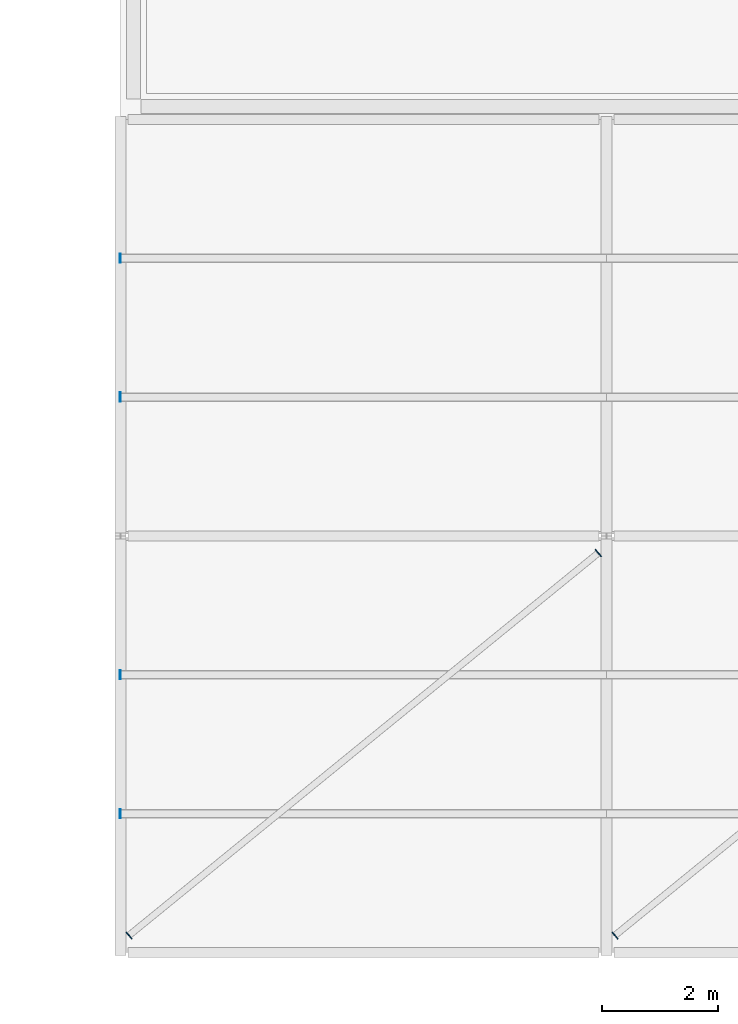
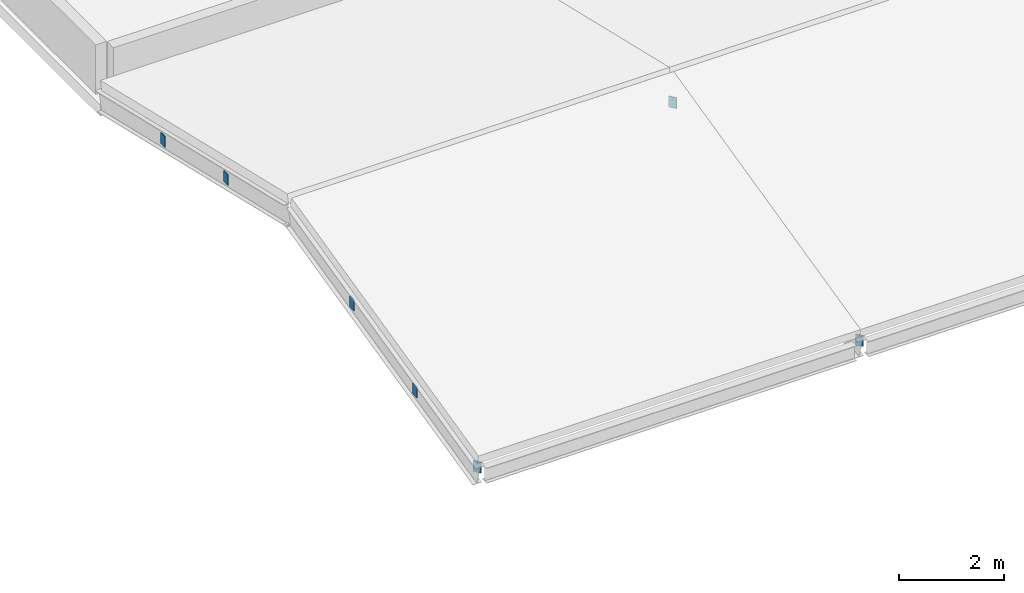
# One storey, part 36 of 79: 7 plates.
"""IFC4 building model written with IfcOpenShell, lengths in metres."""

import ifcopenshell
import ifcopenshell.guid

model = None  # the IFC model being written
_history = None  # IfcOwnerHistory: only IFC2X3 demands one
_inside = {}  # id of a spatial element -> (the spatial element, [elements in it])
_under = {}  # id of a project, library or spatial element -> (it, [spatial elements below it])
_declared = {}  # id of a project -> (the project, [libraries it declares])
_typed = {}  # id of a type object -> (the type object, [elements of that type])
_made_of = {}  # id of a material, layer set ... -> (it, [elements and type objects made of it])


def new_model(schema):
    """Start an empty IFC model of exactly this schema.

    Asked for "IFC4X3", IfcOpenShell would pick the latest addendum, in which some entities
    have other attributes; the version numbers below select the first issue.
    IFC2X3 requires an IfcOwnerHistory on every rooted entity: one is made here for all.
    """
    global model, _history
    if schema == "IFC4X3":
        model = ifcopenshell.file(schema_version=(4, 3, 0, 0))
    else:
        model = ifcopenshell.file(schema=schema)
    _inside.clear()
    _under.clear()
    _declared.clear()
    _typed.clear()
    _made_of.clear()
    _history = None
    if model.schema == "IFC2X3":
        org = make("IfcOrganization", Name="unknown")
        user = make(
            "IfcPersonAndOrganization",
            ThePerson=make("IfcPerson", FamilyName="unknown"),
            TheOrganization=org,
        )
        app = make(
            "IfcApplication",
            ApplicationDeveloper=org,
            Version="unknown",
            ApplicationFullName="unknown",
            ApplicationIdentifier="unknown",
        )
        _history = make(
            "IfcOwnerHistory",
            OwningUser=user,
            OwningApplication=app,
            ChangeAction="ADDED",
            CreationDate=0,
        )
    return model


def make(cls, **values):
    """One entity of the class cls with the attributes given. An attribute that is None is left unset."""
    return model.create_entity(
        cls, **{name: value for name, value in values.items() if value is not None}
    )


def rooted(cls, **values):
    """An entity with a GlobalId (a new one), such as an element, a storey or a relation."""
    return make(cls, GlobalId=ifcopenshell.guid.new(), OwnerHistory=_history, **values)


def si_unit(unit_type, name, prefix=None):
    """IfcSIUnit, for example si_unit("LENGTHUNIT", "METRE", prefix="MILLI")."""
    return make("IfcSIUnit", UnitType=unit_type, Prefix=prefix, Name=name)


def derived_unit(unit_type, elements):
    """IfcDerivedUnit: a product of units, each with its exponent."""
    return make(
        "IfcDerivedUnit",
        Elements=[
            make("IfcDerivedUnitElement", Unit=unit, Exponent=power)
            for unit, power in elements
        ],
        UnitType=unit_type,
    )


def assignment(units):
    """IfcUnitAssignment: the units of a project."""
    return None if units is None else make("IfcUnitAssignment", Units=units)


def point(xyz):
    """IfcCartesianPoint."""
    return None if xyz is None else make("IfcCartesianPoint", Coordinates=xyz)


def direction(xyz):
    """IfcDirection."""
    return None if xyz is None else make("IfcDirection", DirectionRatios=xyz)


def frame(location, z_axis=None, x_axis=None):
    """IfcAxis2Placement3D, a coordinate frame: its origin and axes. An axis left out is left unset."""
    return make(
        "IfcAxis2Placement3D",
        Location=point(location),
        Axis=direction(z_axis),
        RefDirection=direction(x_axis),
    )


def frame_2d(location, x_axis=None):
    """IfcAxis2Placement2D, a coordinate frame in the plane: its origin and x axis."""
    return make(
        "IfcAxis2Placement2D", Location=point(location), RefDirection=direction(x_axis)
    )


def origin():
    """The frame at (0, 0, 0) with its axes left unset."""
    return frame((0.0, 0.0, 0.0))


def origin_2d():
    """The frame at (0, 0) in the plane with its x axis left unset."""
    return frame_2d((0.0, 0.0))


def place(relative_to, where):
    """IfcLocalPlacement: puts the frame where relative to a parent placement (None: the world)."""
    return make(
        "IfcLocalPlacement", PlacementRelTo=relative_to, RelativePlacement=where
    )


def context(
    kind, dimensions, precision=None, world=None, true_north=None, identifier=None
):
    """IfcGeometricRepresentationContext, for example the 3D "Model" context."""
    return make(
        "IfcGeometricRepresentationContext",
        ContextIdentifier=identifier,
        ContextType=kind,
        CoordinateSpaceDimension=dimensions,
        Precision=precision,
        WorldCoordinateSystem=world,
        TrueNorth=true_north,
    )


def subcontext(parent, identifier, kind, view, scale=None):
    """IfcGeometricRepresentationSubContext, for example "Body" below "Model"."""
    return make(
        "IfcGeometricRepresentationSubContext",
        ContextIdentifier=identifier,
        ContextType=kind,
        ParentContext=parent,
        TargetScale=scale,
        TargetView=view,
    )


def project(units=None, contexts=None):
    """IfcProject with its units and contexts."""
    return rooted(
        "IfcProject",
        Name="project",
        RepresentationContexts=contexts,
        UnitsInContext=assignment(units),
    )


def spatial(cls, under=None, at=None, **own):
    """A site, building, storey or space (cls), placed at a placement, below another one or the project."""
    s = rooted(cls, ObjectPlacement=at, **own)
    if under is not None:
        _under.setdefault(under.id(), (under, []))[1].append(s)
    return s


def profile(cls, at=None, kind="AREA", **sizes):
    """A parametric profile (cls). Its sizes go by their IFC names, for example OverallWidth=200.0."""
    return make(cls, ProfileType=kind, Position=at, **sizes)


def rectangle(**sizes):
    """IfcRectangleProfileDef."""
    return profile("IfcRectangleProfileDef", **sizes)


def extrude(swept, where, along, depth):
    """IfcExtrudedAreaSolid: the profile swept, set in the frame where, extruded along a direction by depth."""
    return make(
        "IfcExtrudedAreaSolid",
        SweptArea=swept,
        Position=where,
        ExtrudedDirection=direction(along),
        Depth=depth,
    )


def shape(context_of_items, identifier, shape_type, items):
    """IfcShapeRepresentation: the items that make up one representation, for example the "Body"."""
    return make(
        "IfcShapeRepresentation",
        ContextOfItems=context_of_items,
        RepresentationIdentifier=identifier,
        RepresentationType=shape_type,
        Items=items,
    )


def material(Name=None, Category=None):
    """IfcMaterial."""
    return make("IfcMaterial", Name=Name, Category=Category)


def layer(
    of_material, thickness, ventilated=None, Name=None, Category=None, Priority=None
):
    """IfcMaterialLayer: one layer of a wall or slab, of a material (None: an air gap)."""
    return make(
        "IfcMaterialLayer",
        Material=of_material,
        LayerThickness=thickness,
        IsVentilated=ventilated,
        Name=Name,
        Category=Category,
        Priority=Priority,
    )


def layer_set(layers, Name=None):
    """IfcMaterialLayerSet."""
    return make("IfcMaterialLayerSet", MaterialLayers=layers, LayerSetName=Name)


def made_of(thing, what):
    """Note that an element or type object is made of a material, layer set ...; save() writes the relation."""
    if what is not None:
        _made_of.setdefault(what.id(), (what, []))[1].append(thing)
    return thing


def type_object(cls, material=None, **own):
    """A type object (cls), such as IfcWallType, which elements share."""
    return made_of(rooted(cls, **own), material)


def element(
    cls,
    number,
    at=None,
    inside=None,
    cuts=None,
    type_object=None,
    material=None,
    context=None,
    identifier="Body",
    shape_type=None,
    held_by="IfcProductDefinitionShape",
    body=None,
    shapes=None,
    **own,
):
    """One element of the class cls, such as IfcWall. Its Tag is "e" and its number.

    at: its placement. inside: the storey or other place that contains it. cuts: it is an
    opening in that element (IfcRelVoidsElement). A single representation is given by context,
    identifier, shape_type and body (its items); several are given by shapes. held_by: the class
    of the entity that holds the representations. save() writes the other relations.
    """
    e = rooted(cls, Tag="e%d" % number, ObjectPlacement=at, **own)
    if body is not None:
        shapes = [shape(context, identifier, shape_type, body)]
    if shapes is not None:
        e.Representation = make(held_by, Representations=shapes)
    if inside is not None:
        _inside.setdefault(inside.id(), (inside, []))[1].append(e)
    if cuts is not None:
        rooted(
            "IfcRelVoidsElement", RelatingBuildingElement=cuts, RelatedOpeningElement=e
        )
    if type_object is not None:
        _typed.setdefault(type_object.id(), (type_object, []))[1].append(e)
    return made_of(e, material)


def aggregate(whole, parts):
    """IfcRelAggregates: a whole, such as a stair, and the parts it consists of."""
    return rooted("IfcRelAggregates", RelatingObject=whole, RelatedObjects=parts)


def save(model, path):
    """Write the relations noted so far, then the file.

    IfcRelAggregates (storeys below a building ...), IfcRelContainedInSpatialStructure (elements
    in a storey), IfcRelDefinesByType, IfcRelAssociatesMaterial and IfcRelDeclares: one each for
    every whole, place, type object, material and project.
    """
    for whole, parts in _under.values():
        aggregate(whole, parts)
    for where, things in _inside.values():
        rooted(
            "IfcRelContainedInSpatialStructure",
            RelatedElements=things,
            RelatingStructure=where,
        )
    for kind, things in _typed.values():
        rooted("IfcRelDefinesByType", RelatedObjects=things, RelatingType=kind)
    for what, things in _made_of.values():
        rooted("IfcRelAssociatesMaterial", RelatedObjects=things, RelatingMaterial=what)
    for by, libraries in _declared.values():
        rooted("IfcRelDeclares", RelatingContext=by, RelatedDefinitions=libraries)
    model.write(path)


model = new_model("IFC4")

# Units and contexts
model_context = context("Model", 3, precision=1e-05, world=origin(), true_north=direction((0.0, 1.0)))
body_context = subcontext(model_context, "Body", "Model", "MODEL_VIEW")
ifc_project = project(units=[si_unit("LENGTHUNIT", "METRE"), si_unit("AREAUNIT", "SQUARE_METRE"), si_unit("VOLUMEUNIT", "CUBIC_METRE"), si_unit("PLANEANGLEUNIT", "RADIAN"), si_unit("MASSUNIT", "GRAM", prefix="KILO"), derived_unit("THERMALTRANSMITTANCEUNIT", [(si_unit("POWERUNIT", "WATT"), 1), (si_unit("LENGTHUNIT", "METRE"), -2), (si_unit("THERMODYNAMICTEMPERATUREUNIT", "KELVIN"), -1)])], contexts=[model_context])

# Site, building, storey
site_placement = place(None, origin())
site = spatial("IfcSite", under=ifc_project, at=site_placement, CompositionType="ELEMENT")
building_placement = place(site_placement, origin())
building = spatial("IfcBuilding", under=site, at=building_placement, Name="Veybourne Emporium", CompositionType="ELEMENT")
storey_placement = place(building_placement, frame((0.0, 0.0, 18.89990234375)))
storey = spatial("IfcBuildingStorey", under=building, at=storey_placement, Name="L04", CompositionType="ELEMENT", Elevation=18.89990234375)

# Plates
ifc_material = material(Name="Steel S355", Category="steel")
ifc_layer = layer(ifc_material, 0.01611328125)
ifc_layer_set = layer_set([ifc_layer], Name="Steel S355")
plate_type = type_object("IfcPlateType", Name="NodePlate_CP-01", PredefinedType="USERDEFINED", material=ifc_layer_set)
for number, where, z_axis, x_axis, name in (
    (1, (92.39208984375, 2.39990234375, 0.52001953125), (0.0, 0.0, 1.0), (1.0, 0.0, 0.0), "Welded hollow-section end cap plate CP-01 (FHPUR-W-1)"),
    (2, (92.39208984375, 4.800048828125, 1.09033203125), (0.0, 0.0, 1.0), (1.0, 0.0, 0.0), "Welded hollow-section end cap plate CP-01 (FHPUR-W-2)"),
    (3, (92.39208984375, 9.60009765625, 1.09033203125), (0.0, 0.0, 1.0), (1.0, 0.0, 0.0), "Welded hollow-section end cap plate CP-01 (FHPUR-W-3)"),
    (4, (92.39208984375, 12.0, 0.52001953125), (0.0, 0.0, 1.0), (1.0, 0.0, 0.0), "Welded hollow-section end cap plate CP-01 (FHPUR-W-4)"),
    (5, (92.5439453125, 0.294921875, -0.03125), (0.0, 0.0, 1.0), (0.77527531223, 0.631623456061, 0.0), "Welded hollow-section end cap plate CP-01 (FHBR-00-A)"),
    (6, (100.65625, 6.905029296875, 1.59130859375), (0.0, 0.0, 1.0), (0.77527531223, 0.631623456061, 0.0), "Welded hollow-section end cap plate CP-01 (FHBR-00-B)"),
    (7, (100.94384765625, 0.294921875, -0.03125), (0.0, 0.0, 1.0), (0.77527531223, 0.631623456061, 0.0), "Welded hollow-section end cap plate CP-01 (FHBR-01-A)"),
):
    element("IfcPlate", number, at=place(storey_placement, frame(where, z_axis=z_axis, x_axis=x_axis)), inside=storey, type_object=plate_type, Name=name, ObjectType="CAP_PLATE", PredefinedType="USERDEFINED", context=body_context, shape_type="SweptSolid", body=[
        extrude(rectangle(XDim=0.01611328125, YDim=0.159912109375, at=origin_2d()), origin(), (0.0, 0.0, 1.0), 0.260009765625),
    ])

save(model, "model.ifc")
